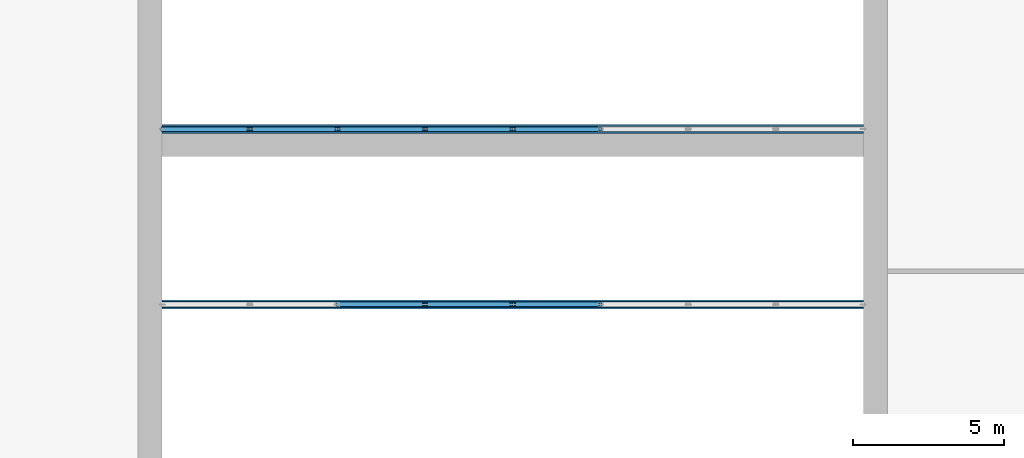
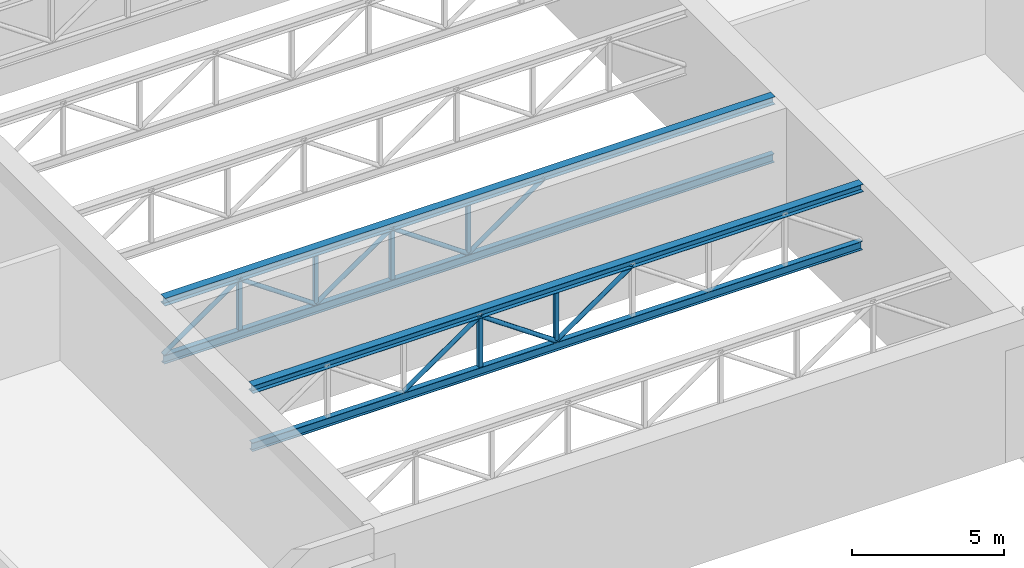
# One storey, part 4 of 35: 18 members.
"""IFC4 building model written with IfcOpenShell, lengths in metres."""

from ifc_helpers import new_model, si_unit, direction, frame, origin, origin_2d, place, context, subcontext, project, spatial, hollow_rectangle, hollow_circle, i_section, extrude, material, material_profile, profile_set, type_object, element, save


model = new_model("IFC4")

# Units and contexts
model_context = context("Model", 3, precision=1e-05, world=origin(), true_north=direction((0.0, 1.0)))
body_context = subcontext(model_context, "Body", "Model", "MODEL_VIEW")
ifc_project = project(units=[si_unit("LENGTHUNIT", "METRE"), si_unit("AREAUNIT", "SQUARE_METRE"), si_unit("VOLUMEUNIT", "CUBIC_METRE"), si_unit("PLANEANGLEUNIT", "RADIAN"), si_unit("MASSUNIT", "GRAM", prefix="KILO")], contexts=[model_context])

# Site, building, storey
site_placement = place(None, origin())
site = spatial("IfcSite", under=ifc_project, at=site_placement, CompositionType="ELEMENT")
building_placement = place(site_placement, origin())
building = spatial("IfcBuilding", under=site, at=building_placement, Name="Kiln Ring Residences", CompositionType="ELEMENT")
storey_placement = place(building_placement, frame((0.0, 0.0, 20.89990234375)))
storey = spatial("IfcBuildingStorey", under=building, at=storey_placement, Name="L04", CompositionType="ELEMENT", Elevation=20.89990234375)

# Members
ifc_material_1 = material(Name="Structural steel ASTM A992", Category="steel")
ifc_material_profile_1 = material_profile(ifc_material_1, i_section(OverallWidth=0.2041015625, OverallDepth=0.35009765625, WebThickness=0.008544921875, FlangeThickness=0.01513671875, at=origin_2d()), Name="W360x72")
ifc_profile_set_1 = profile_set([ifc_material_profile_1], Name="Structural steel ASTM A992")
member_type_1 = type_object("IfcMemberType", Name="Hall roof truss bottom chord W360x72", PredefinedType="CHORD", material=ifc_profile_set_1)
for number, where, z_axis, x_axis, name in (
    (1, (-11.60009765625, -150.5, 3.050048828125), (1.0, 0.0, 0.0), (0.0, 1.0, 0.0), "Hall truss 2 bottom chord"),
    (2, (-11.60009765625, -144.699951171875, 3.050048828125), (1.0, 0.0, 0.0), (0.0, 1.0, 0.0), "Hall truss 3 bottom chord"),
):
    element("IfcMember", number, at=place(storey_placement, frame(where, z_axis=z_axis, x_axis=x_axis)), inside=storey, type_object=member_type_1, Name=name, PredefinedType="CHORD", context=body_context, shape_type="SweptSolid", body=[
        extrude(i_section(OverallWidth=0.2041015625, OverallDepth=0.35009765625, WebThickness=0.008544921875, FlangeThickness=0.01513671875, at=origin_2d()), origin(), (0.0, 0.0, 1.0), 23.2001953125),
    ])
ifc_material_2 = material(Name="Structural steel ASTM A500 Gr. C", Category="steel")
ifc_material_profile_2 = material_profile(ifc_material_2, hollow_circle(Radius=0.084228515625, WallThickness=0.007080078125, at=origin_2d()), Name="HSS168x7.1")
ifc_profile_set_2 = profile_set([ifc_material_profile_2], Name="Structural steel ASTM A500 Gr. C")
member_type_2 = type_object("IfcMemberType", Name="Hall roof truss diagonal HSS168x7.1", PredefinedType="BRACE", material=ifc_profile_set_2)
member_1_placement = place(storey_placement, frame((-5.800048828125, -150.5, 3.22509765625), z_axis=(0.820958725483, 0.0, 0.570987540192), x_axis=(0.0, 1.0, 0.0)))
element("IfcMember", 3, at=member_1_placement, inside=storey, type_object=member_type_2, Name="Hall truss 2 diagonal 3", PredefinedType="BRACE", context=body_context, shape_type="SweptSolid", body=[
    extrude(hollow_circle(Radius=0.084228515625, WallThickness=0.007080078125, at=origin_2d()), origin(), (0.0, 0.0, 1.0), 3.53271484375),
])
for number, where, z_axis, x_axis, name in (
    (4, (-2.89990234375, -150.5, 5.2421875), (0.820936191826, 0.0, -0.571019937436), (0.0, 1.0, 0.0), "Hall truss 2 diagonal 4"),
    (5, (0.0, -150.5, 3.22509765625), (0.820936191826, 0.0, 0.571019937436), (0.0, 1.0, 0.0), "Hall truss 2 diagonal 5"),
):
    element("IfcMember", number, at=place(storey_placement, frame(where, z_axis=z_axis, x_axis=x_axis)), inside=storey, type_object=member_type_2, Name=name, PredefinedType="BRACE", context=body_context, shape_type="SweptSolid", body=[
        extrude(hollow_circle(Radius=0.084228515625, WallThickness=0.007080078125, at=origin_2d()), origin(), (0.0, 0.0, 1.0), 3.532470703125),
    ])
member_2_placement = place(storey_placement, frame((-11.60009765625, -144.699951171875, 3.22509765625), z_axis=(0.820958725483, 0.0, 0.570987540192), x_axis=(0.0, 1.0, 0.0)))
element("IfcMember", 6, at=member_2_placement, inside=storey, type_object=member_type_2, Name="Hall truss 3 diagonal 1", PredefinedType="BRACE", context=body_context, shape_type="SweptSolid", body=[
    extrude(hollow_circle(Radius=0.084228515625, WallThickness=0.007080078125, at=origin_2d()), origin(), (0.0, 0.0, 1.0), 3.53271484375),
])
member_3_placement = place(storey_placement, frame((-8.699951171875, -144.699951171875, 5.2421875), z_axis=(0.820936191826, 0.0, -0.571019937436), x_axis=(0.0, 1.0, 0.0)))
element("IfcMember", 7, at=member_3_placement, inside=storey, type_object=member_type_2, Name="Hall truss 3 diagonal 2", PredefinedType="BRACE", context=body_context, shape_type="SweptSolid", body=[
    extrude(hollow_circle(Radius=0.084228515625, WallThickness=0.007080078125, at=origin_2d()), origin(), (0.0, 0.0, 1.0), 3.532470703125),
])
member_4_placement = place(storey_placement, frame((-5.800048828125, -144.699951171875, 3.22509765625), z_axis=(0.820958725483, 0.0, 0.570987540192), x_axis=(0.0, 1.0, 0.0)))
element("IfcMember", 8, at=member_4_placement, inside=storey, type_object=member_type_2, Name="Hall truss 3 diagonal 3", PredefinedType="BRACE", context=body_context, shape_type="SweptSolid", body=[
    extrude(hollow_circle(Radius=0.084228515625, WallThickness=0.007080078125, at=origin_2d()), origin(), (0.0, 0.0, 1.0), 3.53271484375),
])
for number, where, z_axis, x_axis, name in (
    (9, (-2.89990234375, -144.699951171875, 5.2421875), (0.820936191826, 0.0, -0.571019937436), (0.0, 1.0, 0.0), "Hall truss 3 diagonal 4"),
    (10, (0.0, -144.699951171875, 3.22509765625), (0.820936191826, 0.0, 0.571019937436), (0.0, 1.0, 0.0), "Hall truss 3 diagonal 5"),
):
    element("IfcMember", number, at=place(storey_placement, frame(where, z_axis=z_axis, x_axis=x_axis)), inside=storey, type_object=member_type_2, Name=name, PredefinedType="BRACE", context=body_context, shape_type="SweptSolid", body=[
        extrude(hollow_circle(Radius=0.084228515625, WallThickness=0.007080078125, at=origin_2d()), origin(), (0.0, 0.0, 1.0), 3.532470703125),
    ])
ifc_material_3 = material(Name="Structural steel ASTM A500 Gr. C", Category="steel")
ifc_material_profile_3 = material_profile(ifc_material_3, hollow_rectangle(XDim=0.152099609375, YDim=0.152099609375, WallThickness=0.0078125, at=origin_2d()), Name="HSS152x152x7.9")
ifc_profile_set_3 = profile_set([ifc_material_profile_3], Name="Structural steel ASTM A500 Gr. C")
member_type_3 = type_object("IfcMemberType", Name="Hall roof truss post HSS152x152x7.9", PredefinedType="POST", material=ifc_profile_set_3)
for number, where, z_axis, x_axis, name in (
    (11, (-2.89990234375, -150.5, 3.22509765625), (0.0, 0.0, 1.0), (1.0, 0.0, 0.0), "Hall truss 2 post 3"),
    (12, (0.0, -150.5, 3.22509765625), (0.0, 0.0, 1.0), (1.0, 0.0, 0.0), "Hall truss 2 post 4"),
    (13, (-8.699951171875, -144.699951171875, 3.22509765625), (0.0, 0.0, 1.0), (1.0, 0.0, 0.0), "Hall truss 3 post 1"),
    (14, (-5.800048828125, -144.699951171875, 3.22509765625), (0.0, 0.0, 1.0), (1.0, 0.0, 0.0), "Hall truss 3 post 2"),
    (15, (-2.89990234375, -144.699951171875, 3.22509765625), (0.0, 0.0, 1.0), (1.0, 0.0, 0.0), "Hall truss 3 post 3"),
    (16, (0.0, -144.699951171875, 3.22509765625), (0.0, 0.0, 1.0), (1.0, 0.0, 0.0), "Hall truss 3 post 4"),
):
    element("IfcMember", number, at=place(storey_placement, frame(where, z_axis=z_axis, x_axis=x_axis)), inside=storey, type_object=member_type_3, Name=name, PredefinedType="POST", context=body_context, shape_type="SweptSolid", body=[
        extrude(hollow_rectangle(XDim=0.152099609375, YDim=0.152099609375, WallThickness=0.0078125, at=origin_2d()), origin(), (0.0, 0.0, 1.0), 2.01708984375),
    ])
ifc_material_4 = material(Name="Structural steel ASTM A992", Category="steel")
ifc_material_profile_4 = material_profile(ifc_material_4, i_section(OverallWidth=0.304931640625, OverallDepth=0.30810546875, WebThickness=0.010009765625, FlangeThickness=0.015380859375, at=origin_2d()), Name="W310x97")
ifc_profile_set_4 = profile_set([ifc_material_profile_4], Name="Structural steel ASTM A992")
member_type_4 = type_object("IfcMemberType", Name="Hall roof truss top chord W310x97", PredefinedType="CHORD", material=ifc_profile_set_4)
for number, where, z_axis, x_axis, name in (
    (17, (-11.60009765625, -150.5, 5.39599609375), (1.0, 0.0, 0.0), (0.0, 1.0, 0.0), "Hall truss 2 top chord"),
    (18, (-11.60009765625, -144.699951171875, 5.39599609375), (1.0, 0.0, 0.0), (0.0, 1.0, 0.0), "Hall truss 3 top chord"),
):
    element("IfcMember", number, at=place(storey_placement, frame(where, z_axis=z_axis, x_axis=x_axis)), inside=storey, type_object=member_type_4, Name=name, PredefinedType="CHORD", context=body_context, shape_type="SweptSolid", body=[
        extrude(i_section(OverallWidth=0.304931640625, OverallDepth=0.30810546875, WebThickness=0.010009765625, FlangeThickness=0.015380859375, at=origin_2d()), origin(), (0.0, 0.0, 1.0), 23.2001953125),
    ])

save(model, "model.ifc")
